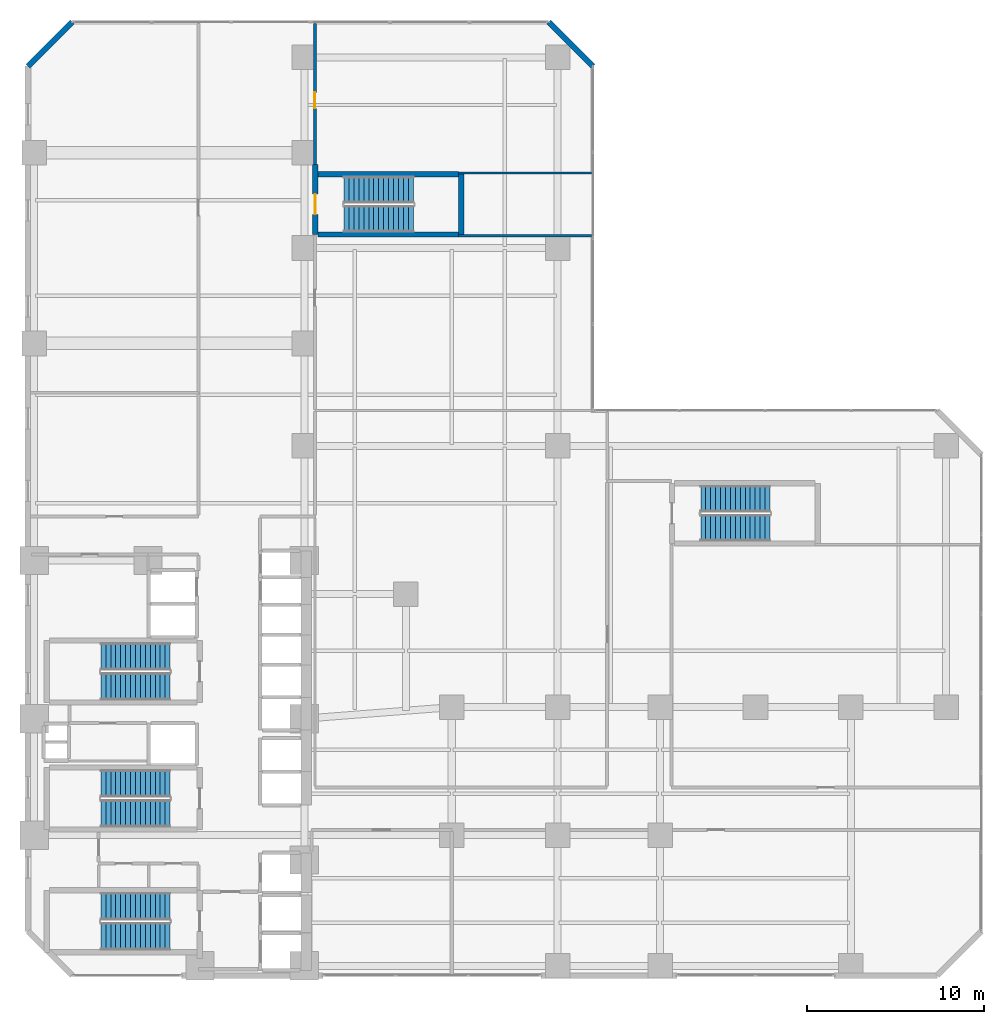
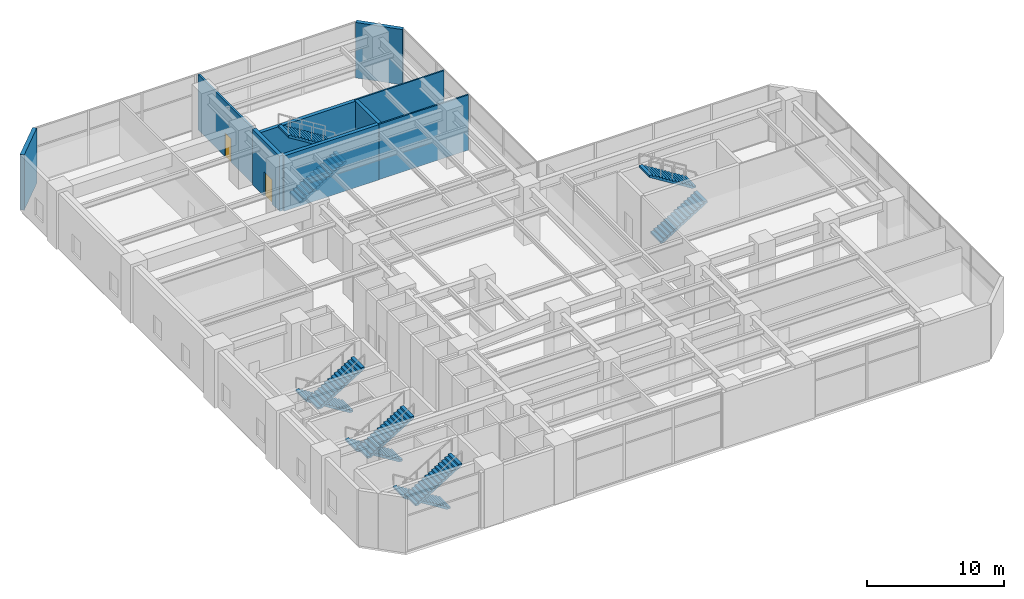
# One storey, part 24 of 29: 10 stair flights, 9 walls, 2 doors, 2 openings, 5 elements without a shape of their own.
"""IFC4 building model written with IfcOpenShell, lengths in metres."""

from ifc_helpers import new_model, si_unit, direction, frame, frame_2d, origin, place, context, subcontext, project, spatial, polyline, rectangle, outline, extrude, material, layer, layer_set, type_object, element, fill, aggregate, save


model = new_model("IFC4")

# Units and contexts
model_context = context("Model", 3, precision=1e-05, world=origin(), true_north=direction((0.0, 1.0)))
body_context = subcontext(model_context, "Body", "Model", "MODEL_VIEW")
ifc_project = project(units=[si_unit("LENGTHUNIT", "METRE"), si_unit("AREAUNIT", "SQUARE_METRE"), si_unit("VOLUMEUNIT", "CUBIC_METRE"), si_unit("PLANEANGLEUNIT", "RADIAN"), si_unit("MASSUNIT", "GRAM", prefix="KILO")], contexts=[model_context])

# Site, building, storey
site_placement = place(None, origin())
site = spatial("IfcSite", under=ifc_project, at=site_placement, CompositionType="ELEMENT")
building_placement = place(site_placement, origin())
building = spatial("IfcBuilding", under=site, at=building_placement, Name="Mawjaban Terraces University", CompositionType="ELEMENT")
storey_placement = place(building_placement, frame((0.0, 0.0, 15.60009765625)))
storey = spatial("IfcBuildingStorey", under=building, at=storey_placement, Name="L03", CompositionType="ELEMENT", Elevation=15.60009765625)

# Wall, opening, door
ifc_material_1 = material(Name="Fire-rated gypsum board on steel stud", Category="steel")
ifc_layer_1 = layer(ifc_material_1, 0.159912109375)
ifc_layer_set_1 = layer_set([ifc_layer_1], Name="Fire-rated gypsum board on steel stud")
wall_type_1 = type_object("IfcWallType", Name="CorridorPartition_160", PredefinedType="PARTITIONING", material=ifc_layer_set_1)
wall_1_placement = place(storey_placement, frame((38.25, 45.919921875, 0.0), z_axis=(0.0, 0.0, 1.0), x_axis=(0.0, 1.0, 0.0)))
wall_1 = element("IfcWall", 1, at=wall_1_placement, inside=storey, type_object=wall_type_1, Name="L03 Podium Library Concourse Partition 35", PredefinedType="PARTITIONING", context=body_context, shape_type="SweptSolid", body=[
    extrude(rectangle(XDim=7.989990234375, YDim=0.159912109375, at=frame_2d((3.9951171875, 0.0))), origin(), (0.0, 0.0, 1.0), 4.919921875),
])
opening_1_placement = place(wall_1_placement, frame((3.195068359375, 0.0, 0.0)))
opening_1 = element("IfcOpeningElement", 2, at=opening_1_placement, cuts=wall_1, Name="Opening ID-090", PredefinedType="OPENING", context=body_context, shape_type="SweptSolid", body=[
    extrude(rectangle(XDim=0.89990234375, YDim=2.10009765625, at=frame_2d((0.449951171875, 1.050048828125))), frame((0.0, 0.08984375, 0.0), z_axis=(0.0, -1.0, 0.0), x_axis=(1.0, 0.0, 0.0)), (0.0, 0.0, 1.0), 0.179931640625),
])
ifc_material_2 = material(Name="Powder-coated steel frame and solid acoustic timber leaf", Category="steel")
door_type_1 = type_object("IfcDoorType", Name="OfficeDoor_900x2100", OperationType="NOTDEFINED", PredefinedType="DOOR", material=ifc_material_2)
door_1_placement = place(opening_1_placement, origin())
door_1 = element("IfcDoor", 3, at=door_1_placement, inside=storey, type_object=door_type_1, Name="L03 Special Collections Study Room Door", OperationType="SINGLE_SWING_RIGHT", OverallHeight=2.10009765625, OverallWidth=0.89990234375, PredefinedType="DOOR", context=body_context, shape_type="SweptSolid", body=[
    extrude(rectangle(XDim=0.89990234375, YDim=2.10009765625, at=frame_2d((0.449951171875, 1.050048828125))), frame((0.0, 0.02490234375, 0.0), z_axis=(0.0, -1.0, 0.0), x_axis=(1.0, 0.0, 0.0)), (0.0, 0.0, 1.0), 0.050048828125),
])
fill(opening_1, door_1)

# Walls
ifc_material_3 = material(Name="Insulated terracotta rainscreen on concrete backup C40/50", Category="masonry")
ifc_layer_2 = layer(ifc_material_3, 0.320068359375)
ifc_layer_set_2 = layer_set([ifc_layer_2], Name="Insulated terracotta rainscreen on concrete backup C40/50")
wall_type_2 = type_object("IfcWallType", Name="ExtTerracottaWall_320", PredefinedType="SOLIDWALL", material=ifc_layer_set_2)
for number, where, z_axis, x_axis, name in (
    (4, (54.0, 51.5, 0.0), (0.0, 0.0, 1.0), (-0.707106781187, 0.707106781187, 0.0), "L03 Exterior Terracotta Wall 7"),
    (5, (24.5, 54.0, 0.0), (0.0, 0.0, 1.0), (-0.707106781187, -0.707106781187, 0.0), "L03 Exterior Terracotta Wall 9"),
):
    element("IfcWall", number, at=place(storey_placement, frame(where, z_axis=z_axis, x_axis=x_axis)), inside=storey, type_object=wall_type_2, Name=name, PredefinedType="SOLIDWALL", context=body_context, shape_type="SweptSolid", body=[
        extrude(rectangle(XDim=3.53564453125, YDim=0.320068359375, at=frame_2d((1.767822265625, 0.0))), origin(), (0.0, 0.0, 1.0), 4.919921875),
    ])
ifc_material_4 = material(Name="Gypsum plasterboard on steel stud", Category="steel")
ifc_layer_3 = layer(ifc_material_4, 0.125)
ifc_layer_set_3 = layer_set([ifc_layer_3], Name="Gypsum plasterboard on steel stud")
wall_type_3 = type_object("IfcWallType", Name="OfficePartition_125", PredefinedType="PARTITIONING", material=ifc_layer_set_3)
for number, where, z_axis, x_axis, name in (
    (6, (46.3798828125, 45.449951171875, 0.0), (0.0, 0.0, 1.0), (1.0, 0.0, 0.0), "L03 Special Collections Study Room Partition 15"),
    (7, (53.909912109375, 41.89990234375, 0.0), (0.0, 0.0, 1.0), (-1.0, 0.0, 0.0), "L03 Digital Scholarship Reading Hall Partition 16"),
):
    element("IfcWall", number, at=place(storey_placement, frame(where, z_axis=z_axis, x_axis=x_axis)), inside=storey, type_object=wall_type_3, Name=name, PredefinedType="PARTITIONING", context=body_context, shape_type="SweptSolid", body=[
        extrude(rectangle(XDim=7.530029296875, YDim=0.125, at=frame_2d((3.76513671875, 0.0))), origin(), (0.0, 0.0, 1.0), 4.919921875),
    ])
ifc_material_5 = material(Name="Concrete C60/75", Category="concrete")
ifc_layer_4 = layer(ifc_material_5, 0.300048828125)
ifc_layer_set_4 = layer_set([ifc_layer_4], Name="Concrete C60/75")
wall_type_4 = type_object("IfcWallType", Name="StairShaftWall_300", PredefinedType="SHEAR", material=ifc_layer_set_4)
wall_2_placement = place(storey_placement, frame((38.419921875, 41.969970703125, 0.0), z_axis=(0.0, 0.0, 1.0), x_axis=(1.0, 0.0, 0.0)))
element("IfcWall", 8, at=wall_2_placement, inside=storey, type_object=wall_type_4, Name="L03 ST-4 Stair Shaft Wall 1", PredefinedType="SHEAR", context=body_context, shape_type="SweptSolid", body=[
    extrude(rectangle(XDim=7.9599609375, YDim=0.300048828125, at=frame_2d((3.97998046875, 0.0))), origin(), (0.0, 0.0, 1.0), 4.919921875),
])
wall_3_placement = place(storey_placement, frame((46.530029296875, 41.969970703125, 0.0), z_axis=(0.0, 0.0, 1.0), x_axis=(0.0, 1.0, 0.0)))
element("IfcWall", 9, at=wall_3_placement, inside=storey, type_object=wall_type_4, Name="L03 ST-4 Stair Shaft Wall 2", PredefinedType="SHEAR", context=body_context, shape_type="SweptSolid", body=[
    extrude(rectangle(XDim=3.409912109375, YDim=0.300048828125, at=frame_2d((1.705078125, 0.0))), origin(), (0.0, 0.0, 1.0), 4.919921875),
])
wall_4_placement = place(storey_placement, frame((46.3798828125, 45.3798828125, 0.0), z_axis=(0.0, 0.0, 1.0), x_axis=(-1.0, 0.0, 0.0)))
element("IfcWall", 10, at=wall_4_placement, inside=storey, type_object=wall_type_4, Name="L03 ST-4 Stair Shaft Wall 3", PredefinedType="SHEAR", context=body_context, shape_type="SweptSolid", body=[
    extrude(rectangle(XDim=7.9599609375, YDim=0.300048828125, at=frame_2d((3.97998046875, 0.0))), origin(), (0.0, 0.0, 1.0), 4.919921875),
])

# Wall, opening, door
wall_5_placement = place(storey_placement, frame((38.27001953125, 45.919921875, 0.0), z_axis=(0.0, 0.0, 1.0), x_axis=(0.0, -1.0, 0.0)))
wall_5 = element("IfcWall", 11, at=wall_5_placement, inside=storey, type_object=wall_type_4, Name="L03 ST-4 Stair Shaft Wall 4", PredefinedType="SHEAR", context=body_context, shape_type="SweptSolid", body=[
    extrude(rectangle(XDim=3.949951171875, YDim=0.300048828125, at=frame_2d((1.97509765625, 0.0))), origin(), (0.0, 0.0, 1.0), 4.919921875),
])
opening_2_placement = place(wall_5_placement, frame((1.669921875, 0.0, 0.0)))
opening_2 = element("IfcOpeningElement", 12, at=opening_2_placement, cuts=wall_5, Name="Opening FD-115", PredefinedType="OPENING", context=body_context, shape_type="SweptSolid", body=[
    extrude(rectangle(XDim=1.14990234375, YDim=2.14990234375, at=frame_2d((0.574951171875, 1.074951171875))), frame((0.0, 0.159912109375, 0.0), z_axis=(0.0, -1.0, 0.0), x_axis=(1.0, 0.0, 0.0)), (0.0, 0.0, 1.0), 0.320068359375),
])
ifc_material_6 = material(Name="Powder-coated steel frame and fire-rated steel-faced leaf", Category="steel")
door_type_2 = type_object("IfcDoorType", Name="FireStairDoor_1150x2150", OperationType="NOTDEFINED", PredefinedType="DOOR", material=ifc_material_6)
door_2_placement = place(opening_2_placement, origin())
door_2 = element("IfcDoor", 13, at=door_2_placement, inside=storey, type_object=door_type_2, Name="L03 ST-4 Pressurised Stair Fire Door", OperationType="SINGLE_SWING_LEFT", OverallHeight=2.14990234375, OverallWidth=1.14990234375, PredefinedType="DOOR", context=body_context, shape_type="SweptSolid", body=[
    extrude(rectangle(XDim=1.14990234375, YDim=2.14990234375, at=frame_2d((0.574951171875, 1.074951171875))), frame((0.0, 0.02490234375, 0.0), z_axis=(0.0, -1.0, 0.0), x_axis=(1.0, 0.0, 0.0)), (0.0, 0.0, 1.0), 0.050048828125),
])
fill(opening_2, door_2)

# Stair, stair flights
ifc_material_7 = material(Name="Concrete C40/50", Category="concrete")
stair_type_1 = type_object("IfcStairType", Name="Stair_Core1550_H52", PredefinedType="HALF_TURN_STAIR", material=ifc_material_7)
stair_1_placement = place(storey_placement, origin())
stair_1 = element("IfcStair", 14, at=stair_1_placement, inside=storey, type_object=stair_type_1, Name="L03 Core Exit Stair 1", PredefinedType="HALF_TURN_STAIR")
stair_flight_type_1 = type_object("IfcStairFlightType", Name="Flight_Core1550_H52", PredefinedType="STRAIGHT", material=ifc_material_7)
stair_flight_1_placement = place(storey_placement, frame((30.050048828125, 3.925048828125, 0.0), z_axis=(0.0, 0.0, 1.0), x_axis=(-1.0, 0.0, 0.0)))
stair_flight_1 = element("IfcStairFlight", 15, at=stair_flight_1_placement, type_object=stair_flight_type_1, Name="ST-1 flight 1", NumberOfRisers=15, NumberOfTreads=14, PredefinedType="STRAIGHT", RiserHeight=0.173333333, TreadLength=0.28, context=body_context, shape_type="SweptSolid", body=[
    extrude(outline(polyline([(0.0, 0.0), (0.0, 0.17333984375), (0.280029296875, 0.17333984375), (0.280029296875, 0.3466796875), (0.56005859375, 0.3466796875), (0.56005859375, 0.52001953125), (0.840087890625, 0.52001953125), (0.840087890625, 0.693359375), (1.1201171875, 0.693359375), (1.1201171875, 0.86669921875), (1.39990234375, 0.86669921875), (1.39990234375, 1.0400390625), (1.679931640625, 1.0400390625), (1.679931640625, 1.21337890625), (1.9599609375, 1.21337890625), (1.9599609375, 1.38671875), (2.239990234375, 1.38671875), (2.239990234375, 1.56005859375), (2.52001953125, 1.56005859375), (2.52001953125, 1.7333984375), (2.800048828125, 1.7333984375), (2.800048828125, 1.90673828125), (3.080078125, 1.90673828125), (3.080078125, 2.080078125), (3.360107421875, 2.080078125), (3.360107421875, 2.25341796875), (3.639892578125, 2.25341796875), (3.639892578125, 2.4267578125), (3.919921875, 2.4267578125), (3.919921875, 2.60009765625), (3.919921875, 2.250244140625), (0.284912109375, 0.0), (0.0, 0.0)])), frame((0.0, 0.77490234375, 0.0), z_axis=(0.0, -1.0, 0.0), x_axis=(1.0, 0.0, 0.0)), (0.0, 0.0, 1.0), 1.550048828125),
])
stair_flight_2_placement = place(storey_placement, frame((26.1298828125, 2.22509765625, 2.599853515625), z_axis=(0.0, 0.0, 1.0), x_axis=(1.0, 0.0, 0.0)))
stair_flight_2 = element("IfcStairFlight", 16, at=stair_flight_2_placement, type_object=stair_flight_type_1, Name="ST-1 flight 2", NumberOfRisers=15, NumberOfTreads=14, PredefinedType="STRAIGHT", RiserHeight=0.173333333, TreadLength=0.28, context=body_context, shape_type="SweptSolid", body=[
    extrude(outline(polyline([(0.0, 0.0), (0.0, 0.17333984375), (0.280029296875, 0.17333984375), (0.280029296875, 0.3466796875), (0.56005859375, 0.3466796875), (0.56005859375, 0.52001953125), (0.840087890625, 0.52001953125), (0.840087890625, 0.693359375), (1.1201171875, 0.693359375), (1.1201171875, 0.86669921875), (1.39990234375, 0.86669921875), (1.39990234375, 1.0400390625), (1.679931640625, 1.0400390625), (1.679931640625, 1.21337890625), (1.9599609375, 1.21337890625), (1.9599609375, 1.38671875), (2.239990234375, 1.38671875), (2.239990234375, 1.56005859375), (2.52001953125, 1.56005859375), (2.52001953125, 1.7333984375), (2.800048828125, 1.7333984375), (2.800048828125, 1.90673828125), (3.080078125, 1.90673828125), (3.080078125, 2.080078125), (3.360107421875, 2.080078125), (3.360107421875, 2.25341796875), (3.639892578125, 2.25341796875), (3.639892578125, 2.4267578125), (3.919921875, 2.4267578125), (3.919921875, 2.60009765625), (3.919921875, 2.250244140625), (0.284912109375, 0.0), (0.0, 0.0)])), frame((0.0, 0.77490234375, 0.0), z_axis=(0.0, -1.0, 0.0), x_axis=(1.0, 0.0, 0.0)), (0.0, 0.0, 1.0), 1.550048828125),
])
aggregate(stair_1, [stair_flight_1, stair_flight_2])

stair_2_placement = place(storey_placement, origin())
stair_2 = element("IfcStair", 17, at=stair_2_placement, inside=storey, type_object=stair_type_1, Name="L03 Core Exit Stair 2", PredefinedType="HALF_TURN_STAIR")
stair_flight_3_placement = place(storey_placement, frame((30.050048828125, 18.074951171875, 0.0), z_axis=(0.0, 0.0, 1.0), x_axis=(-1.0, 0.0, 0.0)))
stair_flight_3 = element("IfcStairFlight", 18, at=stair_flight_3_placement, type_object=stair_flight_type_1, Name="ST-2 flight 1", NumberOfRisers=15, NumberOfTreads=14, PredefinedType="STRAIGHT", RiserHeight=0.173333333, TreadLength=0.28, context=body_context, shape_type="SweptSolid", body=[
    extrude(outline(polyline([(0.0, 0.0), (0.0, 0.17333984375), (0.280029296875, 0.17333984375), (0.280029296875, 0.3466796875), (0.56005859375, 0.3466796875), (0.56005859375, 0.52001953125), (0.840087890625, 0.52001953125), (0.840087890625, 0.693359375), (1.1201171875, 0.693359375), (1.1201171875, 0.86669921875), (1.39990234375, 0.86669921875), (1.39990234375, 1.0400390625), (1.679931640625, 1.0400390625), (1.679931640625, 1.21337890625), (1.9599609375, 1.21337890625), (1.9599609375, 1.38671875), (2.239990234375, 1.38671875), (2.239990234375, 1.56005859375), (2.52001953125, 1.56005859375), (2.52001953125, 1.7333984375), (2.800048828125, 1.7333984375), (2.800048828125, 1.90673828125), (3.080078125, 1.90673828125), (3.080078125, 2.080078125), (3.360107421875, 2.080078125), (3.360107421875, 2.25341796875), (3.639892578125, 2.25341796875), (3.639892578125, 2.4267578125), (3.919921875, 2.4267578125), (3.919921875, 2.60009765625), (3.919921875, 2.250244140625), (0.284912109375, 0.0), (0.0, 0.0)])), frame((0.0, 0.77490234375, 0.0), z_axis=(0.0, -1.0, 0.0), x_axis=(1.0, 0.0, 0.0)), (0.0, 0.0, 1.0), 1.550048828125),
])
stair_flight_4_placement = place(storey_placement, frame((26.1298828125, 16.375, 2.599853515625), z_axis=(0.0, 0.0, 1.0), x_axis=(1.0, 0.0, 0.0)))
stair_flight_4 = element("IfcStairFlight", 19, at=stair_flight_4_placement, type_object=stair_flight_type_1, Name="ST-2 flight 2", NumberOfRisers=15, NumberOfTreads=14, PredefinedType="STRAIGHT", RiserHeight=0.173333333, TreadLength=0.28, context=body_context, shape_type="SweptSolid", body=[
    extrude(outline(polyline([(0.0, 0.0), (0.0, 0.17333984375), (0.280029296875, 0.17333984375), (0.280029296875, 0.3466796875), (0.56005859375, 0.3466796875), (0.56005859375, 0.52001953125), (0.840087890625, 0.52001953125), (0.840087890625, 0.693359375), (1.1201171875, 0.693359375), (1.1201171875, 0.86669921875), (1.39990234375, 0.86669921875), (1.39990234375, 1.0400390625), (1.679931640625, 1.0400390625), (1.679931640625, 1.21337890625), (1.9599609375, 1.21337890625), (1.9599609375, 1.38671875), (2.239990234375, 1.38671875), (2.239990234375, 1.56005859375), (2.52001953125, 1.56005859375), (2.52001953125, 1.7333984375), (2.800048828125, 1.7333984375), (2.800048828125, 1.90673828125), (3.080078125, 1.90673828125), (3.080078125, 2.080078125), (3.360107421875, 2.080078125), (3.360107421875, 2.25341796875), (3.639892578125, 2.25341796875), (3.639892578125, 2.4267578125), (3.919921875, 2.4267578125), (3.919921875, 2.60009765625), (3.919921875, 2.250244140625), (0.284912109375, 0.0), (0.0, 0.0)])), frame((0.0, 0.77490234375, 0.0), z_axis=(0.0, -1.0, 0.0), x_axis=(1.0, 0.0, 0.0)), (0.0, 0.0, 1.0), 1.550048828125),
])
aggregate(stair_2, [stair_flight_3, stair_flight_4])

stair_3_placement = place(storey_placement, origin())
stair_3 = element("IfcStair", 20, at=stair_3_placement, inside=storey, type_object=stair_type_1, Name="L03 Core Exit Stair 3", PredefinedType="HALF_TURN_STAIR")
stair_flight_5_placement = place(storey_placement, frame((30.050048828125, 10.875, 0.0), z_axis=(0.0, 0.0, 1.0), x_axis=(-1.0, 0.0, 0.0)))
stair_flight_5 = element("IfcStairFlight", 21, at=stair_flight_5_placement, type_object=stair_flight_type_1, Name="ST-3 flight 1", NumberOfRisers=15, NumberOfTreads=14, PredefinedType="STRAIGHT", RiserHeight=0.173333333, TreadLength=0.28, context=body_context, shape_type="SweptSolid", body=[
    extrude(outline(polyline([(0.0, 0.0), (0.0, 0.17333984375), (0.280029296875, 0.17333984375), (0.280029296875, 0.3466796875), (0.56005859375, 0.3466796875), (0.56005859375, 0.52001953125), (0.840087890625, 0.52001953125), (0.840087890625, 0.693359375), (1.1201171875, 0.693359375), (1.1201171875, 0.86669921875), (1.39990234375, 0.86669921875), (1.39990234375, 1.0400390625), (1.679931640625, 1.0400390625), (1.679931640625, 1.21337890625), (1.9599609375, 1.21337890625), (1.9599609375, 1.38671875), (2.239990234375, 1.38671875), (2.239990234375, 1.56005859375), (2.52001953125, 1.56005859375), (2.52001953125, 1.7333984375), (2.800048828125, 1.7333984375), (2.800048828125, 1.90673828125), (3.080078125, 1.90673828125), (3.080078125, 2.080078125), (3.360107421875, 2.080078125), (3.360107421875, 2.25341796875), (3.639892578125, 2.25341796875), (3.639892578125, 2.4267578125), (3.919921875, 2.4267578125), (3.919921875, 2.60009765625), (3.919921875, 2.250244140625), (0.284912109375, 0.0), (0.0, 0.0)])), frame((0.0, 0.77490234375, 0.0), z_axis=(0.0, -1.0, 0.0), x_axis=(1.0, 0.0, 0.0)), (0.0, 0.0, 1.0), 1.550048828125),
])
stair_flight_6_placement = place(storey_placement, frame((26.1298828125, 9.175048828125, 2.599853515625), z_axis=(0.0, 0.0, 1.0), x_axis=(1.0, 0.0, 0.0)))
stair_flight_6 = element("IfcStairFlight", 22, at=stair_flight_6_placement, type_object=stair_flight_type_1, Name="ST-3 flight 2", NumberOfRisers=15, NumberOfTreads=14, PredefinedType="STRAIGHT", RiserHeight=0.173333333, TreadLength=0.28, context=body_context, shape_type="SweptSolid", body=[
    extrude(outline(polyline([(0.0, 0.0), (0.0, 0.17333984375), (0.280029296875, 0.17333984375), (0.280029296875, 0.3466796875), (0.56005859375, 0.3466796875), (0.56005859375, 0.52001953125), (0.840087890625, 0.52001953125), (0.840087890625, 0.693359375), (1.1201171875, 0.693359375), (1.1201171875, 0.86669921875), (1.39990234375, 0.86669921875), (1.39990234375, 1.0400390625), (1.679931640625, 1.0400390625), (1.679931640625, 1.21337890625), (1.9599609375, 1.21337890625), (1.9599609375, 1.38671875), (2.239990234375, 1.38671875), (2.239990234375, 1.56005859375), (2.52001953125, 1.56005859375), (2.52001953125, 1.7333984375), (2.800048828125, 1.7333984375), (2.800048828125, 1.90673828125), (3.080078125, 1.90673828125), (3.080078125, 2.080078125), (3.360107421875, 2.080078125), (3.360107421875, 2.25341796875), (3.639892578125, 2.25341796875), (3.639892578125, 2.4267578125), (3.919921875, 2.4267578125), (3.919921875, 2.60009765625), (3.919921875, 2.250244140625), (0.284912109375, 0.0), (0.0, 0.0)])), frame((0.0, 0.77490234375, 0.0), z_axis=(0.0, -1.0, 0.0), x_axis=(1.0, 0.0, 0.0)), (0.0, 0.0, 1.0), 1.550048828125),
])
aggregate(stair_3, [stair_flight_5, stair_flight_6])

stair_type_2 = type_object("IfcStairType", Name="Stair_Pod1500_H52", PredefinedType="HALF_TURN_STAIR", material=ifc_material_7)
stair_4_placement = place(storey_placement, origin())
stair_4 = element("IfcStair", 23, at=stair_4_placement, inside=storey, type_object=stair_type_2, Name="L03 Podium North Exit Stair 4", PredefinedType="HALF_TURN_STAIR")
stair_flight_type_2 = type_object("IfcStairFlightType", Name="Flight_Pod1500_H52", PredefinedType="STRAIGHT", material=ifc_material_7)
stair_flight_7_placement = place(storey_placement, frame((39.89990234375, 42.85009765625, 0.0), z_axis=(0.0, 0.0, 1.0), x_axis=(1.0, 0.0, 0.0)))
stair_flight_7 = element("IfcStairFlight", 24, at=stair_flight_7_placement, type_object=stair_flight_type_2, Name="ST-4 flight 1", NumberOfRisers=15, NumberOfTreads=14, PredefinedType="STRAIGHT", RiserHeight=0.173333333, TreadLength=0.28, context=body_context, shape_type="SweptSolid", body=[
    extrude(outline(polyline([(0.0, 0.0), (0.0, 0.17333984375), (0.280029296875, 0.17333984375), (0.280029296875, 0.3466796875), (0.56005859375, 0.3466796875), (0.56005859375, 0.52001953125), (0.840087890625, 0.52001953125), (0.840087890625, 0.693359375), (1.1201171875, 0.693359375), (1.1201171875, 0.86669921875), (1.39990234375, 0.86669921875), (1.39990234375, 1.0400390625), (1.679931640625, 1.0400390625), (1.679931640625, 1.21337890625), (1.9599609375, 1.21337890625), (1.9599609375, 1.38671875), (2.239990234375, 1.38671875), (2.239990234375, 1.56005859375), (2.52001953125, 1.56005859375), (2.52001953125, 1.7333984375), (2.800048828125, 1.7333984375), (2.800048828125, 1.90673828125), (3.080078125, 1.90673828125), (3.080078125, 2.080078125), (3.360107421875, 2.080078125), (3.360107421875, 2.25341796875), (3.639892578125, 2.25341796875), (3.639892578125, 2.4267578125), (3.919921875, 2.4267578125), (3.919921875, 2.60009765625), (3.919921875, 2.250244140625), (0.284912109375, 0.0), (0.0, 0.0)])), frame((0.0, 0.75, 0.0), z_axis=(0.0, -1.0, 0.0), x_axis=(1.0, 0.0, 0.0)), (0.0, 0.0, 1.0), 1.5),
])
stair_flight_8_placement = place(storey_placement, frame((43.820068359375, 44.5, 2.599853515625), z_axis=(0.0, 0.0, 1.0), x_axis=(-1.0, 0.0, 0.0)))
stair_flight_8 = element("IfcStairFlight", 25, at=stair_flight_8_placement, type_object=stair_flight_type_2, Name="ST-4 flight 2", NumberOfRisers=15, NumberOfTreads=14, PredefinedType="STRAIGHT", RiserHeight=0.173333333, TreadLength=0.28, context=body_context, shape_type="SweptSolid", body=[
    extrude(outline(polyline([(0.0, 0.0), (0.0, 0.17333984375), (0.280029296875, 0.17333984375), (0.280029296875, 0.3466796875), (0.56005859375, 0.3466796875), (0.56005859375, 0.52001953125), (0.840087890625, 0.52001953125), (0.840087890625, 0.693359375), (1.1201171875, 0.693359375), (1.1201171875, 0.86669921875), (1.39990234375, 0.86669921875), (1.39990234375, 1.0400390625), (1.679931640625, 1.0400390625), (1.679931640625, 1.21337890625), (1.9599609375, 1.21337890625), (1.9599609375, 1.38671875), (2.239990234375, 1.38671875), (2.239990234375, 1.56005859375), (2.52001953125, 1.56005859375), (2.52001953125, 1.7333984375), (2.800048828125, 1.7333984375), (2.800048828125, 1.90673828125), (3.080078125, 1.90673828125), (3.080078125, 2.080078125), (3.360107421875, 2.080078125), (3.360107421875, 2.25341796875), (3.639892578125, 2.25341796875), (3.639892578125, 2.4267578125), (3.919921875, 2.4267578125), (3.919921875, 2.60009765625), (3.919921875, 2.250244140625), (0.284912109375, 0.0), (0.0, 0.0)])), frame((0.0, 0.75, 0.0), z_axis=(0.0, -1.0, 0.0), x_axis=(1.0, 0.0, 0.0)), (0.0, 0.0, 1.0), 1.5),
])
aggregate(stair_4, [stair_flight_7, stair_flight_8])

stair_5_placement = place(storey_placement, origin())
stair_5 = element("IfcStair", 26, at=stair_5_placement, inside=storey, type_object=stair_type_2, Name="L03 Podium East Exit Stair 5", PredefinedType="HALF_TURN_STAIR")
stair_flight_9_placement = place(storey_placement, frame((60.10009765625, 25.35009765625, 0.0), z_axis=(0.0, 0.0, 1.0), x_axis=(1.0, 0.0, 0.0)))
stair_flight_9 = element("IfcStairFlight", 27, at=stair_flight_9_placement, type_object=stair_flight_type_2, Name="ST-5 flight 1", NumberOfRisers=15, NumberOfTreads=14, PredefinedType="STRAIGHT", RiserHeight=0.173333333, TreadLength=0.28, context=body_context, shape_type="SweptSolid", body=[
    extrude(outline(polyline([(0.0, 0.0), (0.0, 0.17333984375), (0.280029296875, 0.17333984375), (0.280029296875, 0.3466796875), (0.56005859375, 0.3466796875), (0.56005859375, 0.52001953125), (0.840087890625, 0.52001953125), (0.840087890625, 0.693359375), (1.1201171875, 0.693359375), (1.1201171875, 0.86669921875), (1.39990234375, 0.86669921875), (1.39990234375, 1.0400390625), (1.679931640625, 1.0400390625), (1.679931640625, 1.21337890625), (1.9599609375, 1.21337890625), (1.9599609375, 1.38671875), (2.239990234375, 1.38671875), (2.239990234375, 1.56005859375), (2.52001953125, 1.56005859375), (2.52001953125, 1.7333984375), (2.800048828125, 1.7333984375), (2.800048828125, 1.90673828125), (3.080078125, 1.90673828125), (3.080078125, 2.080078125), (3.360107421875, 2.080078125), (3.360107421875, 2.25341796875), (3.639892578125, 2.25341796875), (3.639892578125, 2.4267578125), (3.919921875, 2.4267578125), (3.919921875, 2.60009765625), (3.919921875, 2.250244140625), (0.284912109375, 0.0), (0.0, 0.0)])), frame((0.0, 0.75, 0.0), z_axis=(0.0, -1.0, 0.0), x_axis=(1.0, 0.0, 0.0)), (0.0, 0.0, 1.0), 1.5),
])
stair_flight_10_placement = place(storey_placement, frame((64.02001953125, 27.0, 2.599853515625), z_axis=(0.0, 0.0, 1.0), x_axis=(-1.0, 0.0, 0.0)))
stair_flight_10 = element("IfcStairFlight", 28, at=stair_flight_10_placement, type_object=stair_flight_type_2, Name="ST-5 flight 2", NumberOfRisers=15, NumberOfTreads=14, PredefinedType="STRAIGHT", RiserHeight=0.173333333, TreadLength=0.28, context=body_context, shape_type="SweptSolid", body=[
    extrude(outline(polyline([(0.0, 0.0), (0.0, 0.17333984375), (0.280029296875, 0.17333984375), (0.280029296875, 0.3466796875), (0.56005859375, 0.3466796875), (0.56005859375, 0.52001953125), (0.840087890625, 0.52001953125), (0.840087890625, 0.693359375), (1.1201171875, 0.693359375), (1.1201171875, 0.86669921875), (1.39990234375, 0.86669921875), (1.39990234375, 1.0400390625), (1.679931640625, 1.0400390625), (1.679931640625, 1.21337890625), (1.9599609375, 1.21337890625), (1.9599609375, 1.38671875), (2.239990234375, 1.38671875), (2.239990234375, 1.56005859375), (2.52001953125, 1.56005859375), (2.52001953125, 1.7333984375), (2.800048828125, 1.7333984375), (2.800048828125, 1.90673828125), (3.080078125, 1.90673828125), (3.080078125, 2.080078125), (3.360107421875, 2.080078125), (3.360107421875, 2.25341796875), (3.639892578125, 2.25341796875), (3.639892578125, 2.4267578125), (3.919921875, 2.4267578125), (3.919921875, 2.60009765625), (3.919921875, 2.250244140625), (0.284912109375, 0.0), (0.0, 0.0)])), frame((0.0, 0.75, 0.0), z_axis=(0.0, -1.0, 0.0), x_axis=(1.0, 0.0, 0.0)), (0.0, 0.0, 1.0), 1.5),
])
aggregate(stair_5, [stair_flight_9, stair_flight_10])

save(model, "model.ifc")
